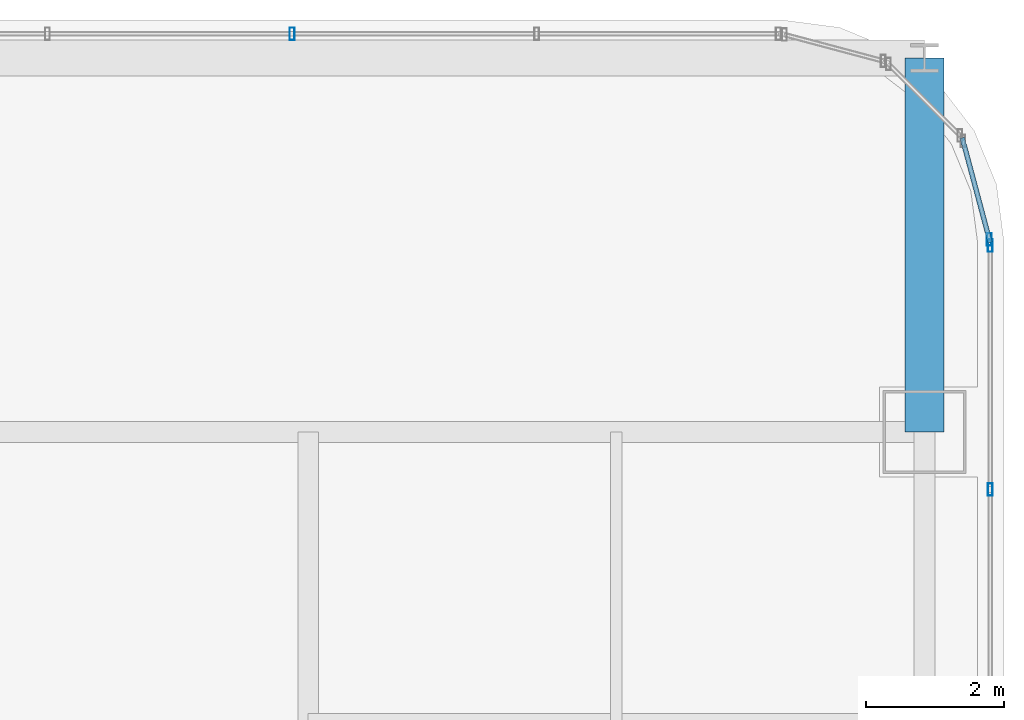
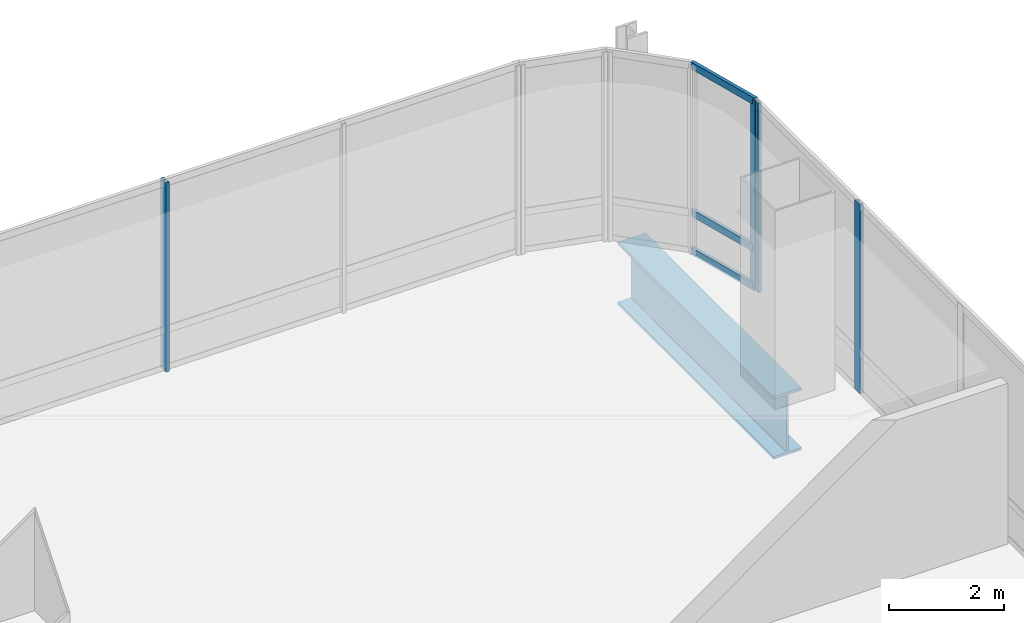
# One storey, part 29 of 42: 7 members, 1 beam, 3 elements without a shape of their own.
"""IFC4 building model written with IfcOpenShell, lengths in metres."""

from ifc_helpers import new_model, si_unit, direction, frame, origin, origin_2d, place, context, subcontext, project, spatial, hollow_rectangle, i_section, extrude, material, material_profile, profile_set, type_object, element, aggregate, save


model = new_model("IFC4")

# Units and contexts
model_context = context("Model", 3, precision=1e-05, world=origin(), true_north=direction((0.0, 1.0)))
body_context = subcontext(model_context, "Body", "Model", "MODEL_VIEW")
ifc_project = project(units=[si_unit("LENGTHUNIT", "METRE"), si_unit("AREAUNIT", "SQUARE_METRE"), si_unit("VOLUMEUNIT", "CUBIC_METRE"), si_unit("PLANEANGLEUNIT", "RADIAN"), si_unit("MASSUNIT", "GRAM", prefix="KILO")], contexts=[model_context])

# Site, building, storey
site_placement = place(None, origin())
site = spatial("IfcSite", under=ifc_project, at=site_placement, CompositionType="ELEMENT")
building_placement = place(site_placement, origin())
building = spatial("IfcBuilding", under=site, at=building_placement, Name="Punatoya Terracotta Tower", CompositionType="ELEMENT")
storey_placement = place(building_placement, frame((0.0, 0.0, 296.39990234375)))
storey = spatial("IfcBuildingStorey", under=building, at=storey_placement, Name="L70", CompositionType="ELEMENT", Elevation=296.39990234375)

# Beam
ifc_material_1 = material(Name="Steel S460", Category="steel")
ifc_material_profile_1 = material_profile(ifc_material_1, i_section(OverallWidth=0.56005859375, OverallDepth=1.320068359375, WebThickness=0.035888671875, FlangeThickness=0.054931640625, FilletRadius=0.01806640625, at=origin_2d()))
ifc_profile_set_1 = profile_set([ifc_material_profile_1], Name="Steel S460")
beam_type = type_object("IfcBeamType", Name="BM-TG-BLK", PredefinedType="BEAM", material=ifc_profile_set_1)
beam_placement = place(storey_placement, frame((19.10009765625, 17.5, -0.85986328125), z_axis=(0.0, 1.0, 0.0), x_axis=(-1.0, 0.0, 0.0)))
element("IfcBeam", 1, at=beam_placement, inside=storey, type_object=beam_type, Name="BM-L70-CANT-N4", PredefinedType="BEAM", context=body_context, shape_type="SweptSolid", body=[
    extrude(i_section(OverallWidth=0.56005859375, OverallDepth=1.320068359375, WebThickness=0.035888671875, FlangeThickness=0.054931640625, FilletRadius=0.01806640625, at=origin_2d()), origin(), (0.0, 0.0, 1.0), 5.39990234375),
])

# Curtain wall, members
ifc_material_2 = material(Name="Aluminium 6063-T6 + Double Low-E Glass", Category="aluminium")
curtain_wall_type = type_object("IfcCurtainWallType", Name="CW-M3", PredefinedType="NOTDEFINED", material=ifc_material_2)
curtain_wall_1_placement = place(storey_placement, origin())
curtain_wall_1 = element("IfcCurtainWall", 2, at=curtain_wall_1_placement, inside=storey, type_object=curtain_wall_type, Name="L70 Curtain Wall CW-L70-E05-1", PredefinedType="NOTDEFINED")
ifc_material_3 = material(Name="Aluminium 6063-T6", Category="aluminium")
ifc_material_profile_2 = material_profile(ifc_material_3, hollow_rectangle(XDim=0.070068359375, YDim=0.179931640625, WallThickness=0.00390625, at=origin_2d()))
ifc_profile_set_2 = profile_set([ifc_material_profile_2], Name="Aluminium 6063-T6")
member_type_1 = type_object("IfcMemberType", Name="CW-MUL-M3", PredefinedType="MULLION", material=ifc_profile_set_2)
member_1_placement = place(storey_placement, frame((20.050048828125, 16.66943359375, 0.0), z_axis=(0.0, 0.0, 1.0), x_axis=(1.0, 0.0, 0.0)))
member_1 = element("IfcMember", 3, at=member_1_placement, type_object=member_type_1, Name="CW-L70-E05-1 Mullion 09", PredefinedType="MULLION", context=body_context, shape_type="SweptSolid", body=[
    extrude(hollow_rectangle(XDim=0.070068359375, YDim=0.179931640625, WallThickness=0.00390625, at=origin_2d()), origin(), (0.0, 0.0, 1.0), 4.0),
])
member_2_placement = place(storey_placement, frame((20.050048828125, 20.19189453125, 0.0), z_axis=(0.0, 0.0, 1.0), x_axis=(1.0, 0.0, 0.0)))
member_2 = element("IfcMember", 4, at=member_2_placement, type_object=member_type_1, Name="CW-L70-E05-1 Mullion 10", PredefinedType="MULLION", context=body_context, shape_type="SweptSolid", body=[
    extrude(hollow_rectangle(XDim=0.070068359375, YDim=0.179931640625, WallThickness=0.00390625, at=origin_2d()), origin(), (0.0, 0.0, 1.0), 4.0),
])
aggregate(curtain_wall_1, [member_1, member_2])

# Curtain wall, member
curtain_wall_2_placement = place(storey_placement, origin())
curtain_wall_2 = element("IfcCurtainWall", 5, at=curtain_wall_2_placement, inside=storey, type_object=curtain_wall_type, Name="L70 Curtain Wall CW-L70-CRN06", PredefinedType="NOTDEFINED")
member_3_placement = place(storey_placement, frame((20.038330078125, 20.280517578125, 0.0), z_axis=(0.0, 0.0, 1.0), x_axis=(1.0, 0.0, 0.0)))
member_3 = element("IfcMember", 6, at=member_3_placement, type_object=member_type_1, Name="CW-L70-CRN06 Mullion 00", PredefinedType="MULLION", context=body_context, shape_type="SweptSolid", body=[
    extrude(hollow_rectangle(XDim=0.070068359375, YDim=0.179931640625, WallThickness=0.00390625, at=origin_2d()), origin(), (0.0, 0.0, 1.0), 4.0),
])

curtain_wall_3_placement = place(storey_placement, origin())
curtain_wall_3 = element("IfcCurtainWall", 7, at=curtain_wall_3_placement, inside=storey, type_object=curtain_wall_type, Name="L70 Curtain Wall CW-L70-N09-1", PredefinedType="NOTDEFINED")
member_4_placement = place(storey_placement, frame((9.968994140625, 23.25, 0.0), z_axis=(0.0, 0.0, 1.0), x_axis=(1.0, 0.0, 0.0)))
member_4 = element("IfcMember", 8, at=member_4_placement, type_object=member_type_1, Name="CW-L70-N09-1 Mullion 02", PredefinedType="MULLION", context=body_context, shape_type="SweptSolid", body=[
    extrude(hollow_rectangle(XDim=0.070068359375, YDim=0.179931640625, WallThickness=0.00390625, at=origin_2d()), origin(), (0.0, 0.0, 1.0), 4.0),
])
aggregate(curtain_wall_3, [member_4])

# Member
ifc_material_profile_3 = material_profile(ifc_material_3, hollow_rectangle(XDim=0.068115234375, YDim=0.14990234375, WallThickness=0.00390625, at=origin_2d()))
ifc_profile_set_3 = profile_set([ifc_material_profile_3], Name="Aluminium 6063-T6")
member_type_2 = type_object("IfcMemberType", Name="CW-TRN-TYP", PredefinedType="USERDEFINED", material=ifc_profile_set_3)
member_5_placement = place(storey_placement, frame((20.050048828125, 20.23681640625, 0.0400390625), z_axis=(-0.257847112249, 0.966185730957, 0.0), x_axis=(-0.966185730957, -0.257847112249, 0.0)))
member_5 = element("IfcMember", 9, at=member_5_placement, type_object=member_type_2, Name="CW-L70-CRN06 Transom 1", ObjectType="TRANSOM", PredefinedType="USERDEFINED", context=body_context, shape_type="SweptSolid", body=[
    extrude(hollow_rectangle(XDim=0.068115234375, YDim=0.14990234375, WallThickness=0.00390625, at=origin_2d()), origin(), (0.0, 0.0, 1.0), 1.565185546875),
])

member_6_placement = place(storey_placement, frame((20.050048828125, 20.23681640625, 0.85009765625), z_axis=(-0.257847112249, 0.966185730957, 0.0), x_axis=(-0.966185730957, -0.257847112249, 0.0)))
member_6 = element("IfcMember", 10, at=member_6_placement, type_object=member_type_2, Name="CW-L70-CRN06 Transom 2", ObjectType="TRANSOM", PredefinedType="USERDEFINED", context=body_context, shape_type="SweptSolid", body=[
    extrude(hollow_rectangle(XDim=0.068115234375, YDim=0.14990234375, WallThickness=0.00390625, at=origin_2d()), origin(), (0.0, 0.0, 1.0), 1.565185546875),
])

member_7_placement = place(storey_placement, frame((20.050048828125, 20.23681640625, 3.960205078125), z_axis=(-0.257847112249, 0.966185730957, 0.0), x_axis=(-0.966185730957, -0.257847112249, 0.0)))
member_7 = element("IfcMember", 11, at=member_7_placement, type_object=member_type_2, Name="CW-L70-CRN06 Transom 3", ObjectType="TRANSOM", PredefinedType="USERDEFINED", context=body_context, shape_type="SweptSolid", body=[
    extrude(hollow_rectangle(XDim=0.068115234375, YDim=0.14990234375, WallThickness=0.00390625, at=origin_2d()), origin(), (0.0, 0.0, 1.0), 1.565185546875),
])

aggregate(curtain_wall_2, [member_3, member_5, member_6, member_7])

save(model, "model.ifc")
